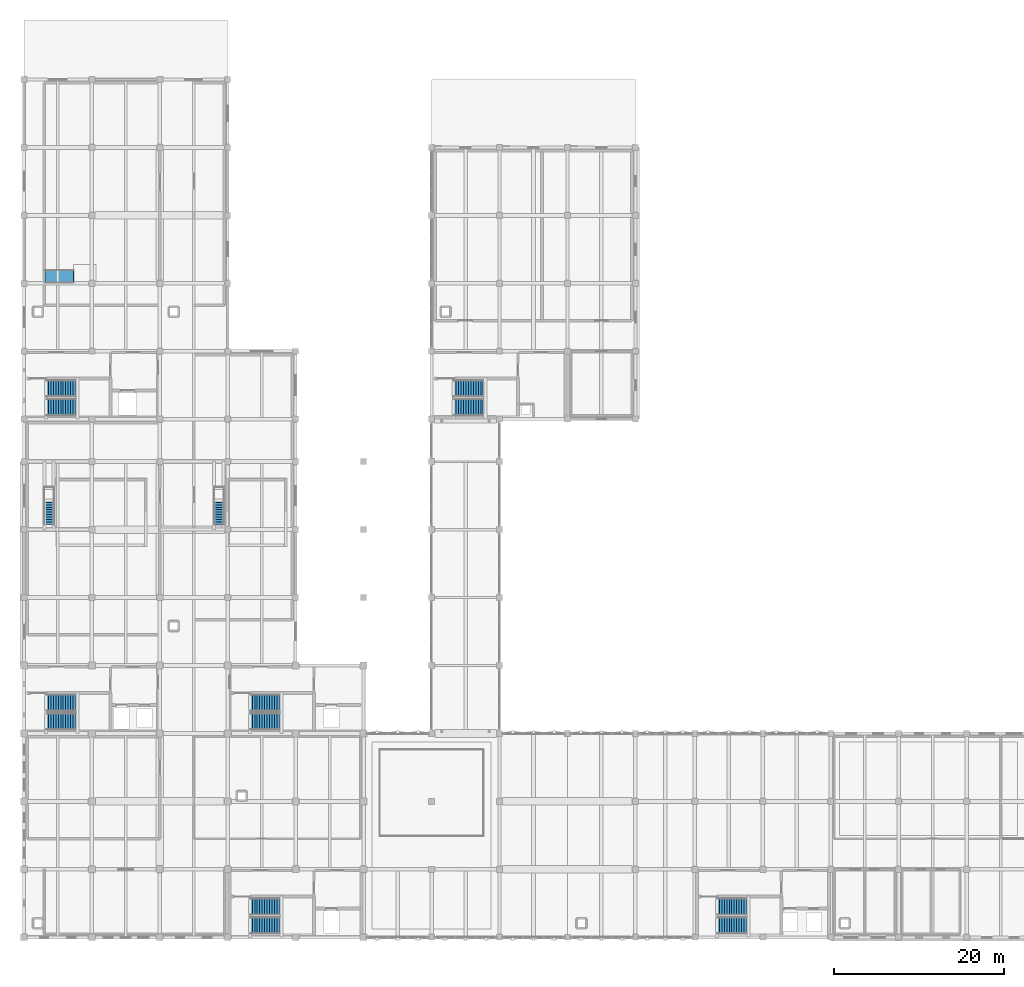
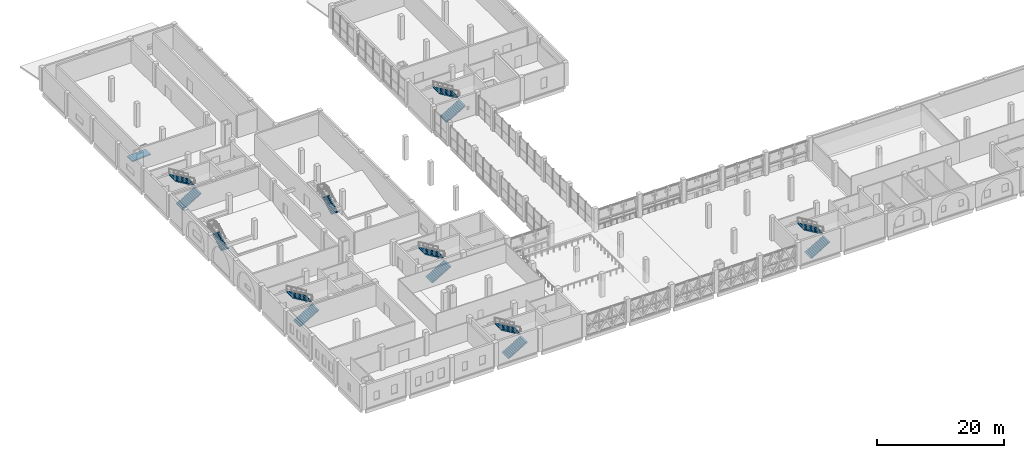
# One storey, part 33 of 45: 14 stair flights, 1 ramp flight, 9 elements without a shape of their own.
"""IFC4 building model written with IfcOpenShell, lengths in metres."""

from ifc_helpers import new_model, si_unit, direction, frame, origin, place, context, subcontext, project, spatial, polyline, outline, extrude, material, layer, layer_set, type_object, element, aggregate, save


model = new_model("IFC4")

# Units and contexts
model_context = context("Model", 3, precision=1e-05, world=origin(), true_north=direction((0.0, 1.0)))
body_context = subcontext(model_context, "Body", "Model", "MODEL_VIEW")
ifc_project = project(units=[si_unit("LENGTHUNIT", "METRE"), si_unit("AREAUNIT", "SQUARE_METRE"), si_unit("VOLUMEUNIT", "CUBIC_METRE"), si_unit("PLANEANGLEUNIT", "RADIAN"), si_unit("MASSUNIT", "GRAM", prefix="KILO")], contexts=[model_context])

# Site, building, storey
site_placement = place(None, origin())
site = spatial("IfcSite", under=ifc_project, at=site_placement, CompositionType="ELEMENT")
building_placement = place(site_placement, origin())
building = spatial("IfcBuilding", under=site, at=building_placement, Name="Qorikala Patio Media Centre", CompositionType="ELEMENT")
storey_placement = place(building_placement, frame((0.0, 0.0, 9.89990234375)))
storey = spatial("IfcBuildingStorey", under=building, at=storey_placement, Name="L02", CompositionType="ELEMENT", Elevation=9.89990234375)

# Stair, stair flights
ifc_material_1 = material(Name="Precast concrete C40/50", Category="concrete")
stair_type_1 = type_object("IfcStairType", Name="ST-DL-26R173W200", PredefinedType="HALF_TURN_STAIR", material=ifc_material_1)
stair_1_placement = place(storey_placement, origin())
stair_1 = element("IfcStair", 1, at=stair_1_placement, inside=storey, type_object=stair_type_1, Name="L02 Core C1 Exit Stair ST-1", PredefinedType="HALF_TURN_STAIR")
stair_flight_type_1 = type_object("IfcStairFlightType", Name="FL-DL-13R173W200", PredefinedType="STRAIGHT", material=ifc_material_1)
stair_flight_1_placement = place(storey_placement, frame((29.60009765625, 4.39990234375, 0.0), z_axis=(0.0, 0.0, 1.0), x_axis=(1.0, 0.0, 0.0)))
stair_flight_1 = element("IfcStairFlight", 2, at=stair_flight_1_placement, type_object=stair_flight_type_1, Name="ST-1 flight 1", NumberOfRisers=13, NumberOfTreads=12, PredefinedType="STRAIGHT", RiserHeight=0.173076923, TreadLength=0.29, context=body_context, shape_type="SweptSolid", body=[
    extrude(outline(polyline([(0.0, 0.0), (0.0, 0.173095703125), (0.2900390625, 0.173095703125), (0.2900390625, 0.34619140625), (0.580078125, 0.34619140625), (0.580078125, 0.519287109375), (0.8701171875, 0.519287109375), (0.8701171875, 0.6923828125), (1.159912109375, 0.6923828125), (1.159912109375, 0.865478515625), (1.449951171875, 0.865478515625), (1.449951171875, 1.03857421875), (1.739990234375, 1.03857421875), (1.739990234375, 1.21142578125), (2.030029296875, 1.21142578125), (2.030029296875, 1.384521484375), (2.320068359375, 1.384521484375), (2.320068359375, 1.5576171875), (2.610107421875, 1.5576171875), (2.610107421875, 1.730712890625), (2.89990234375, 1.730712890625), (2.89990234375, 1.90380859375), (3.18994140625, 1.90380859375), (3.18994140625, 2.076904296875), (3.47998046875, 2.076904296875), (3.47998046875, 2.25), (3.47998046875, 1.90234375), (0.29248046875, 0.0), (0.0, 0.0)])), frame((0.0, 1.0, 0.0), z_axis=(0.0, -1.0, 0.0), x_axis=(1.0, 0.0, 0.0)), (0.0, 0.0, 1.0), 2.0),
])
stair_flight_2_placement = place(storey_placement, frame((33.080078125, 6.60009765625, 2.25), z_axis=(0.0, 0.0, 1.0), x_axis=(-1.0, 0.0, 0.0)))
stair_flight_2 = element("IfcStairFlight", 3, at=stair_flight_2_placement, type_object=stair_flight_type_1, Name="ST-1 flight 2", NumberOfRisers=13, NumberOfTreads=12, PredefinedType="STRAIGHT", RiserHeight=0.173076923, TreadLength=0.29, context=body_context, shape_type="SweptSolid", body=[
    extrude(outline(polyline([(0.0, 0.0), (0.0, 0.173095703125), (0.2900390625, 0.173095703125), (0.2900390625, 0.34619140625), (0.580078125, 0.34619140625), (0.580078125, 0.519287109375), (0.8701171875, 0.519287109375), (0.8701171875, 0.6923828125), (1.159912109375, 0.6923828125), (1.159912109375, 0.865478515625), (1.449951171875, 0.865478515625), (1.449951171875, 1.03857421875), (1.739990234375, 1.03857421875), (1.739990234375, 1.21142578125), (2.030029296875, 1.21142578125), (2.030029296875, 1.384521484375), (2.320068359375, 1.384521484375), (2.320068359375, 1.5576171875), (2.610107421875, 1.5576171875), (2.610107421875, 1.730712890625), (2.89990234375, 1.730712890625), (2.89990234375, 1.90380859375), (3.18994140625, 1.90380859375), (3.18994140625, 2.076904296875), (3.47998046875, 2.076904296875), (3.47998046875, 2.25), (3.47998046875, 1.90234375), (0.29248046875, 0.0), (0.0, 0.0)])), frame((0.0, 1.0, 0.0), z_axis=(0.0, -1.0, 0.0), x_axis=(1.0, 0.0, 0.0)), (0.0, 0.0, 1.0), 2.0),
])
aggregate(stair_1, [stair_flight_1, stair_flight_2])

stair_2_placement = place(storey_placement, origin())
stair_2 = element("IfcStair", 4, at=stair_2_placement, inside=storey, type_object=stair_type_1, Name="L02 Core C2 Exit Stair ST-2", PredefinedType="HALF_TURN_STAIR")
stair_flight_3_placement = place(storey_placement, frame((5.60009765625, 28.39990234375, 0.0), z_axis=(0.0, 0.0, 1.0), x_axis=(1.0, 0.0, 0.0)))
stair_flight_3 = element("IfcStairFlight", 5, at=stair_flight_3_placement, type_object=stair_flight_type_1, Name="ST-2 flight 1", NumberOfRisers=13, NumberOfTreads=12, PredefinedType="STRAIGHT", RiserHeight=0.173076923, TreadLength=0.29, context=body_context, shape_type="SweptSolid", body=[
    extrude(outline(polyline([(0.0, 0.0), (0.0, 0.173095703125), (0.2900390625, 0.173095703125), (0.2900390625, 0.34619140625), (0.580078125, 0.34619140625), (0.580078125, 0.519287109375), (0.8701171875, 0.519287109375), (0.8701171875, 0.6923828125), (1.159912109375, 0.6923828125), (1.159912109375, 0.865478515625), (1.449951171875, 0.865478515625), (1.449951171875, 1.03857421875), (1.739990234375, 1.03857421875), (1.739990234375, 1.21142578125), (2.030029296875, 1.21142578125), (2.030029296875, 1.384521484375), (2.320068359375, 1.384521484375), (2.320068359375, 1.5576171875), (2.610107421875, 1.5576171875), (2.610107421875, 1.730712890625), (2.89990234375, 1.730712890625), (2.89990234375, 1.90380859375), (3.18994140625, 1.90380859375), (3.18994140625, 2.076904296875), (3.47998046875, 2.076904296875), (3.47998046875, 2.25), (3.47998046875, 1.90234375), (0.29248046875, 0.0), (0.0, 0.0)])), frame((0.0, 1.0, 0.0), z_axis=(0.0, -1.0, 0.0), x_axis=(1.0, 0.0, 0.0)), (0.0, 0.0, 1.0), 2.0),
])
stair_flight_4_placement = place(storey_placement, frame((9.080078125, 30.60009765625, 2.25), z_axis=(0.0, 0.0, 1.0), x_axis=(-1.0, 0.0, 0.0)))
stair_flight_4 = element("IfcStairFlight", 6, at=stair_flight_4_placement, type_object=stair_flight_type_1, Name="ST-2 flight 2", NumberOfRisers=13, NumberOfTreads=12, PredefinedType="STRAIGHT", RiserHeight=0.173076923, TreadLength=0.29, context=body_context, shape_type="SweptSolid", body=[
    extrude(outline(polyline([(0.0, 0.0), (0.0, 0.173095703125), (0.2900390625, 0.173095703125), (0.2900390625, 0.34619140625), (0.580078125, 0.34619140625), (0.580078125, 0.519287109375), (0.8701171875, 0.519287109375), (0.8701171875, 0.6923828125), (1.159912109375, 0.6923828125), (1.159912109375, 0.865478515625), (1.449951171875, 0.865478515625), (1.449951171875, 1.03857421875), (1.739990234375, 1.03857421875), (1.739990234375, 1.21142578125), (2.030029296875, 1.21142578125), (2.030029296875, 1.384521484375), (2.320068359375, 1.384521484375), (2.320068359375, 1.5576171875), (2.610107421875, 1.5576171875), (2.610107421875, 1.730712890625), (2.89990234375, 1.730712890625), (2.89990234375, 1.90380859375), (3.18994140625, 1.90380859375), (3.18994140625, 2.076904296875), (3.47998046875, 2.076904296875), (3.47998046875, 2.25), (3.47998046875, 1.90234375), (0.29248046875, 0.0), (0.0, 0.0)])), frame((0.0, 1.0, 0.0), z_axis=(0.0, -1.0, 0.0), x_axis=(1.0, 0.0, 0.0)), (0.0, 0.0, 1.0), 2.0),
])
aggregate(stair_2, [stair_flight_3, stair_flight_4])

stair_3_placement = place(storey_placement, origin())
stair_3 = element("IfcStair", 7, at=stair_3_placement, inside=storey, type_object=stair_type_1, Name="L02 Core C3 Exit Stair ST-3", PredefinedType="HALF_TURN_STAIR")
stair_flight_5_placement = place(storey_placement, frame((5.60009765625, 65.39990234375, 0.0), z_axis=(0.0, 0.0, 1.0), x_axis=(1.0, 0.0, 0.0)))
stair_flight_5 = element("IfcStairFlight", 8, at=stair_flight_5_placement, type_object=stair_flight_type_1, Name="ST-3 flight 1", NumberOfRisers=13, NumberOfTreads=12, PredefinedType="STRAIGHT", RiserHeight=0.173076923, TreadLength=0.29, context=body_context, shape_type="SweptSolid", body=[
    extrude(outline(polyline([(0.0, 0.0), (0.0, 0.173095703125), (0.2900390625, 0.173095703125), (0.2900390625, 0.34619140625), (0.580078125, 0.34619140625), (0.580078125, 0.519287109375), (0.8701171875, 0.519287109375), (0.8701171875, 0.6923828125), (1.159912109375, 0.6923828125), (1.159912109375, 0.865478515625), (1.449951171875, 0.865478515625), (1.449951171875, 1.03857421875), (1.739990234375, 1.03857421875), (1.739990234375, 1.21142578125), (2.030029296875, 1.21142578125), (2.030029296875, 1.384521484375), (2.320068359375, 1.384521484375), (2.320068359375, 1.5576171875), (2.610107421875, 1.5576171875), (2.610107421875, 1.730712890625), (2.89990234375, 1.730712890625), (2.89990234375, 1.90380859375), (3.18994140625, 1.90380859375), (3.18994140625, 2.076904296875), (3.47998046875, 2.076904296875), (3.47998046875, 2.25), (3.47998046875, 1.90234375), (0.29248046875, 0.0), (0.0, 0.0)])), frame((0.0, 1.0, 0.0), z_axis=(0.0, -1.0, 0.0), x_axis=(1.0, 0.0, 0.0)), (0.0, 0.0, 1.0), 2.0),
])
stair_flight_6_placement = place(storey_placement, frame((9.080078125, 67.60009765625, 2.25), z_axis=(0.0, 0.0, 1.0), x_axis=(-1.0, 0.0, 0.0)))
stair_flight_6 = element("IfcStairFlight", 9, at=stair_flight_6_placement, type_object=stair_flight_type_1, Name="ST-3 flight 2", NumberOfRisers=13, NumberOfTreads=12, PredefinedType="STRAIGHT", RiserHeight=0.173076923, TreadLength=0.29, context=body_context, shape_type="SweptSolid", body=[
    extrude(outline(polyline([(0.0, 0.0), (0.0, 0.173095703125), (0.2900390625, 0.173095703125), (0.2900390625, 0.34619140625), (0.580078125, 0.34619140625), (0.580078125, 0.519287109375), (0.8701171875, 0.519287109375), (0.8701171875, 0.6923828125), (1.159912109375, 0.6923828125), (1.159912109375, 0.865478515625), (1.449951171875, 0.865478515625), (1.449951171875, 1.03857421875), (1.739990234375, 1.03857421875), (1.739990234375, 1.21142578125), (2.030029296875, 1.21142578125), (2.030029296875, 1.384521484375), (2.320068359375, 1.384521484375), (2.320068359375, 1.5576171875), (2.610107421875, 1.5576171875), (2.610107421875, 1.730712890625), (2.89990234375, 1.730712890625), (2.89990234375, 1.90380859375), (3.18994140625, 1.90380859375), (3.18994140625, 2.076904296875), (3.47998046875, 2.076904296875), (3.47998046875, 2.25), (3.47998046875, 1.90234375), (0.29248046875, 0.0), (0.0, 0.0)])), frame((0.0, 1.0, 0.0), z_axis=(0.0, -1.0, 0.0), x_axis=(1.0, 0.0, 0.0)), (0.0, 0.0, 1.0), 2.0),
])
aggregate(stair_3, [stair_flight_5, stair_flight_6])

stair_4_placement = place(storey_placement, origin())
stair_4 = element("IfcStair", 10, at=stair_4_placement, inside=storey, type_object=stair_type_1, Name="L02 Core C4 Exit Stair ST-4", PredefinedType="HALF_TURN_STAIR")
stair_flight_7_placement = place(storey_placement, frame((84.60009765625, 4.39990234375, 0.0), z_axis=(0.0, 0.0, 1.0), x_axis=(1.0, 0.0, 0.0)))
stair_flight_7 = element("IfcStairFlight", 11, at=stair_flight_7_placement, type_object=stair_flight_type_1, Name="ST-4 flight 1", NumberOfRisers=13, NumberOfTreads=12, PredefinedType="STRAIGHT", RiserHeight=0.173076923, TreadLength=0.29, context=body_context, shape_type="SweptSolid", body=[
    extrude(outline(polyline([(0.0, 0.0), (0.0, 0.173095703125), (0.2900390625, 0.173095703125), (0.2900390625, 0.34619140625), (0.580078125, 0.34619140625), (0.580078125, 0.519287109375), (0.8701171875, 0.519287109375), (0.8701171875, 0.6923828125), (1.159912109375, 0.6923828125), (1.159912109375, 0.865478515625), (1.449951171875, 0.865478515625), (1.449951171875, 1.03857421875), (1.739990234375, 1.03857421875), (1.739990234375, 1.21142578125), (2.030029296875, 1.21142578125), (2.030029296875, 1.384521484375), (2.320068359375, 1.384521484375), (2.320068359375, 1.5576171875), (2.610107421875, 1.5576171875), (2.610107421875, 1.730712890625), (2.89990234375, 1.730712890625), (2.89990234375, 1.90380859375), (3.18994140625, 1.90380859375), (3.18994140625, 2.076904296875), (3.47998046875, 2.076904296875), (3.47998046875, 2.25), (3.47998046875, 1.90234375), (0.29248046875, 0.0), (0.0, 0.0)])), frame((0.0, 1.0, 0.0), z_axis=(0.0, -1.0, 0.0), x_axis=(1.0, 0.0, 0.0)), (0.0, 0.0, 1.0), 2.0),
])
stair_flight_8_placement = place(storey_placement, frame((88.080078125, 6.60009765625, 2.25), z_axis=(0.0, 0.0, 1.0), x_axis=(-1.0, 0.0, 0.0)))
stair_flight_8 = element("IfcStairFlight", 12, at=stair_flight_8_placement, type_object=stair_flight_type_1, Name="ST-4 flight 2", NumberOfRisers=13, NumberOfTreads=12, PredefinedType="STRAIGHT", RiserHeight=0.173076923, TreadLength=0.29, context=body_context, shape_type="SweptSolid", body=[
    extrude(outline(polyline([(0.0, 0.0), (0.0, 0.173095703125), (0.2900390625, 0.173095703125), (0.2900390625, 0.34619140625), (0.580078125, 0.34619140625), (0.580078125, 0.519287109375), (0.8701171875, 0.519287109375), (0.8701171875, 0.6923828125), (1.159912109375, 0.6923828125), (1.159912109375, 0.865478515625), (1.449951171875, 0.865478515625), (1.449951171875, 1.03857421875), (1.739990234375, 1.03857421875), (1.739990234375, 1.21142578125), (2.030029296875, 1.21142578125), (2.030029296875, 1.384521484375), (2.320068359375, 1.384521484375), (2.320068359375, 1.5576171875), (2.610107421875, 1.5576171875), (2.610107421875, 1.730712890625), (2.89990234375, 1.730712890625), (2.89990234375, 1.90380859375), (3.18994140625, 1.90380859375), (3.18994140625, 2.076904296875), (3.47998046875, 2.076904296875), (3.47998046875, 2.25), (3.47998046875, 1.90234375), (0.29248046875, 0.0), (0.0, 0.0)])), frame((0.0, 1.0, 0.0), z_axis=(0.0, -1.0, 0.0), x_axis=(1.0, 0.0, 0.0)), (0.0, 0.0, 1.0), 2.0),
])
aggregate(stair_4, [stair_flight_7, stair_flight_8])

stair_5_placement = place(storey_placement, origin())
stair_5 = element("IfcStair", 13, at=stair_5_placement, inside=storey, type_object=stair_type_1, Name="L02 Core C5 Exit Stair ST-5", PredefinedType="HALF_TURN_STAIR")
stair_flight_9_placement = place(storey_placement, frame((29.60009765625, 28.39990234375, 0.0), z_axis=(0.0, 0.0, 1.0), x_axis=(1.0, 0.0, 0.0)))
stair_flight_9 = element("IfcStairFlight", 14, at=stair_flight_9_placement, type_object=stair_flight_type_1, Name="ST-5 flight 1", NumberOfRisers=13, NumberOfTreads=12, PredefinedType="STRAIGHT", RiserHeight=0.173076923, TreadLength=0.29, context=body_context, shape_type="SweptSolid", body=[
    extrude(outline(polyline([(0.0, 0.0), (0.0, 0.173095703125), (0.2900390625, 0.173095703125), (0.2900390625, 0.34619140625), (0.580078125, 0.34619140625), (0.580078125, 0.519287109375), (0.8701171875, 0.519287109375), (0.8701171875, 0.6923828125), (1.159912109375, 0.6923828125), (1.159912109375, 0.865478515625), (1.449951171875, 0.865478515625), (1.449951171875, 1.03857421875), (1.739990234375, 1.03857421875), (1.739990234375, 1.21142578125), (2.030029296875, 1.21142578125), (2.030029296875, 1.384521484375), (2.320068359375, 1.384521484375), (2.320068359375, 1.5576171875), (2.610107421875, 1.5576171875), (2.610107421875, 1.730712890625), (2.89990234375, 1.730712890625), (2.89990234375, 1.90380859375), (3.18994140625, 1.90380859375), (3.18994140625, 2.076904296875), (3.47998046875, 2.076904296875), (3.47998046875, 2.25), (3.47998046875, 1.90234375), (0.29248046875, 0.0), (0.0, 0.0)])), frame((0.0, 1.0, 0.0), z_axis=(0.0, -1.0, 0.0), x_axis=(1.0, 0.0, 0.0)), (0.0, 0.0, 1.0), 2.0),
])
stair_flight_10_placement = place(storey_placement, frame((33.080078125, 30.60009765625, 2.25), z_axis=(0.0, 0.0, 1.0), x_axis=(-1.0, 0.0, 0.0)))
stair_flight_10 = element("IfcStairFlight", 15, at=stair_flight_10_placement, type_object=stair_flight_type_1, Name="ST-5 flight 2", NumberOfRisers=13, NumberOfTreads=12, PredefinedType="STRAIGHT", RiserHeight=0.173076923, TreadLength=0.29, context=body_context, shape_type="SweptSolid", body=[
    extrude(outline(polyline([(0.0, 0.0), (0.0, 0.173095703125), (0.2900390625, 0.173095703125), (0.2900390625, 0.34619140625), (0.580078125, 0.34619140625), (0.580078125, 0.519287109375), (0.8701171875, 0.519287109375), (0.8701171875, 0.6923828125), (1.159912109375, 0.6923828125), (1.159912109375, 0.865478515625), (1.449951171875, 0.865478515625), (1.449951171875, 1.03857421875), (1.739990234375, 1.03857421875), (1.739990234375, 1.21142578125), (2.030029296875, 1.21142578125), (2.030029296875, 1.384521484375), (2.320068359375, 1.384521484375), (2.320068359375, 1.5576171875), (2.610107421875, 1.5576171875), (2.610107421875, 1.730712890625), (2.89990234375, 1.730712890625), (2.89990234375, 1.90380859375), (3.18994140625, 1.90380859375), (3.18994140625, 2.076904296875), (3.47998046875, 2.076904296875), (3.47998046875, 2.25), (3.47998046875, 1.90234375), (0.29248046875, 0.0), (0.0, 0.0)])), frame((0.0, 1.0, 0.0), z_axis=(0.0, -1.0, 0.0), x_axis=(1.0, 0.0, 0.0)), (0.0, 0.0, 1.0), 2.0),
])
aggregate(stair_5, [stair_flight_9, stair_flight_10])

stair_6_placement = place(storey_placement, origin())
stair_6 = element("IfcStair", 16, at=stair_6_placement, inside=storey, type_object=stair_type_1, Name="L02 Core C6 Exit Stair ST-6", PredefinedType="HALF_TURN_STAIR")
stair_flight_11_placement = place(storey_placement, frame((53.60009765625, 65.39990234375, 0.0), z_axis=(0.0, 0.0, 1.0), x_axis=(1.0, 0.0, 0.0)))
stair_flight_11 = element("IfcStairFlight", 17, at=stair_flight_11_placement, type_object=stair_flight_type_1, Name="ST-6 flight 1", NumberOfRisers=13, NumberOfTreads=12, PredefinedType="STRAIGHT", RiserHeight=0.173076923, TreadLength=0.29, context=body_context, shape_type="SweptSolid", body=[
    extrude(outline(polyline([(0.0, 0.0), (0.0, 0.173095703125), (0.2900390625, 0.173095703125), (0.2900390625, 0.34619140625), (0.580078125, 0.34619140625), (0.580078125, 0.519287109375), (0.8701171875, 0.519287109375), (0.8701171875, 0.6923828125), (1.159912109375, 0.6923828125), (1.159912109375, 0.865478515625), (1.449951171875, 0.865478515625), (1.449951171875, 1.03857421875), (1.739990234375, 1.03857421875), (1.739990234375, 1.21142578125), (2.030029296875, 1.21142578125), (2.030029296875, 1.384521484375), (2.320068359375, 1.384521484375), (2.320068359375, 1.5576171875), (2.610107421875, 1.5576171875), (2.610107421875, 1.730712890625), (2.89990234375, 1.730712890625), (2.89990234375, 1.90380859375), (3.18994140625, 1.90380859375), (3.18994140625, 2.076904296875), (3.47998046875, 2.076904296875), (3.47998046875, 2.25), (3.47998046875, 1.90234375), (0.29248046875, 0.0), (0.0, 0.0)])), frame((0.0, 1.0, 0.0), z_axis=(0.0, -1.0, 0.0), x_axis=(1.0, 0.0, 0.0)), (0.0, 0.0, 1.0), 2.0),
])
stair_flight_12_placement = place(storey_placement, frame((57.080078125, 67.60009765625, 2.25), z_axis=(0.0, 0.0, 1.0), x_axis=(-1.0, 0.0, 0.0)))
stair_flight_12 = element("IfcStairFlight", 18, at=stair_flight_12_placement, type_object=stair_flight_type_1, Name="ST-6 flight 2", NumberOfRisers=13, NumberOfTreads=12, PredefinedType="STRAIGHT", RiserHeight=0.173076923, TreadLength=0.29, context=body_context, shape_type="SweptSolid", body=[
    extrude(outline(polyline([(0.0, 0.0), (0.0, 0.173095703125), (0.2900390625, 0.173095703125), (0.2900390625, 0.34619140625), (0.580078125, 0.34619140625), (0.580078125, 0.519287109375), (0.8701171875, 0.519287109375), (0.8701171875, 0.6923828125), (1.159912109375, 0.6923828125), (1.159912109375, 0.865478515625), (1.449951171875, 0.865478515625), (1.449951171875, 1.03857421875), (1.739990234375, 1.03857421875), (1.739990234375, 1.21142578125), (2.030029296875, 1.21142578125), (2.030029296875, 1.384521484375), (2.320068359375, 1.384521484375), (2.320068359375, 1.5576171875), (2.610107421875, 1.5576171875), (2.610107421875, 1.730712890625), (2.89990234375, 1.730712890625), (2.89990234375, 1.90380859375), (3.18994140625, 1.90380859375), (3.18994140625, 2.076904296875), (3.47998046875, 2.076904296875), (3.47998046875, 2.25), (3.47998046875, 1.90234375), (0.29248046875, 0.0), (0.0, 0.0)])), frame((0.0, 1.0, 0.0), z_axis=(0.0, -1.0, 0.0), x_axis=(1.0, 0.0, 0.0)), (0.0, 0.0, 1.0), 2.0),
])
aggregate(stair_6, [stair_flight_11, stair_flight_12])

# Stair, stair flight
ifc_material_2 = material(Name="Concrete C35/45", Category="concrete")
stair_type_2 = type_object("IfcStairType", Name="ST-VOM-STR", PredefinedType="STRAIGHT_RUN_STAIR", material=ifc_material_2)
stair_7_placement = place(storey_placement, origin())
stair_7 = element("IfcStair", 19, at=stair_7_placement, inside=storey, type_object=stair_type_2, Name="Vomitory Stair VS-03", PredefinedType="STRAIGHT_RUN_STAIR")
stair_flight_type_2 = type_object("IfcStairFlightType", Name="FL-VOM-STR", PredefinedType="STRAIGHT", material=ifc_material_2)
stair_flight_13_placement = place(storey_placement, frame((5.949951171875, 51.60009765625, 0.0), z_axis=(0.0, 0.0, 1.0), x_axis=(0.0, 1.0, 0.0)))
stair_flight_13 = element("IfcStairFlight", 20, at=stair_flight_13_placement, type_object=stair_flight_type_2, Name="VS-03 flight 1", NumberOfRisers=11, NumberOfTreads=10, PredefinedType="STRAIGHT", RiserHeight=0.16364, TreadLength=0.29, context=body_context, shape_type="SweptSolid", body=[
    extrude(outline(polyline([(0.0, 0.0), (0.0, 0.16357421875), (0.2900390625, 0.16357421875), (0.2900390625, 0.327392578125), (0.580078125, 0.327392578125), (0.580078125, 0.490966796875), (0.8701171875, 0.490966796875), (0.8701171875, 0.654541015625), (1.159912109375, 0.654541015625), (1.159912109375, 0.818115234375), (1.449951171875, 0.818115234375), (1.449951171875, 0.98193359375), (1.739990234375, 0.98193359375), (1.739990234375, 1.1455078125), (2.030029296875, 1.1455078125), (2.030029296875, 1.30908203125), (2.320068359375, 1.30908203125), (2.320068359375, 1.47265625), (2.610107421875, 1.47265625), (2.610107421875, 1.636474609375), (2.89990234375, 1.636474609375), (2.89990234375, 1.800048828125), (2.89990234375, 1.4296875), (0.3662109375, 0.0), (0.0, 0.0)])), frame((0.0, 0.625, 0.0), z_axis=(0.0, -1.0, 0.0), x_axis=(1.0, 0.0, 0.0)), (0.0, 0.0, 1.0), 1.25),
])
aggregate(stair_7, [stair_flight_13])

stair_8_placement = place(storey_placement, origin())
stair_8 = element("IfcStair", 21, at=stair_8_placement, inside=storey, type_object=stair_type_2, Name="Vomitory Stair VS-04", PredefinedType="STRAIGHT_RUN_STAIR")
stair_flight_14_placement = place(storey_placement, frame((25.949951171875, 51.60009765625, 0.0), z_axis=(0.0, 0.0, 1.0), x_axis=(0.0, 1.0, 0.0)))
stair_flight_14 = element("IfcStairFlight", 22, at=stair_flight_14_placement, type_object=stair_flight_type_2, Name="VS-04 flight 1", NumberOfRisers=11, NumberOfTreads=10, PredefinedType="STRAIGHT", RiserHeight=0.16364, TreadLength=0.29, context=body_context, shape_type="SweptSolid", body=[
    extrude(outline(polyline([(0.0, 0.0), (0.0, 0.16357421875), (0.2900390625, 0.16357421875), (0.2900390625, 0.327392578125), (0.580078125, 0.327392578125), (0.580078125, 0.490966796875), (0.8701171875, 0.490966796875), (0.8701171875, 0.654541015625), (1.159912109375, 0.654541015625), (1.159912109375, 0.818115234375), (1.449951171875, 0.818115234375), (1.449951171875, 0.98193359375), (1.739990234375, 0.98193359375), (1.739990234375, 1.1455078125), (2.030029296875, 1.1455078125), (2.030029296875, 1.30908203125), (2.320068359375, 1.30908203125), (2.320068359375, 1.47265625), (2.610107421875, 1.47265625), (2.610107421875, 1.636474609375), (2.89990234375, 1.636474609375), (2.89990234375, 1.800048828125), (2.89990234375, 1.4296875), (0.3662109375, 0.0), (0.0, 0.0)])), frame((0.0, 0.625, 0.0), z_axis=(0.0, -1.0, 0.0), x_axis=(1.0, 0.0, 0.0)), (0.0, 0.0, 1.0), 1.25),
])
aggregate(stair_8, [stair_flight_14])

# Ramp, ramp flight
ifc_material_3 = material(Name="Comanche Granite and Concrete C35/45", Category="masonry")
ramp_type = type_object("IfcRampType", Name="RMP-PED", PredefinedType="STRAIGHT_RUN_RAMP", material=ifc_material_3)
ramp_placement = place(storey_placement, origin())
ramp = element("IfcRamp", 23, at=ramp_placement, inside=storey, type_object=ramp_type, Name="L02 Accessible Pedestrian Ramp RP-03", PredefinedType="STRAIGHT_RUN_RAMP")
ifc_layer = layer(ifc_material_3, 0.219970703125)
ifc_layer_set = layer_set([ifc_layer], Name="Comanche Granite and Concrete C35/45")
ramp_flight_type = type_object("IfcRampFlightType", Name="RMF-PED", PredefinedType="STRAIGHT", material=ifc_layer_set)
ramp_flight_placement = place(storey_placement, frame((5.5, 80.0, 0.0), z_axis=(-0.071241899553, 0.0, 0.997459067706), x_axis=(0.997459067706, 0.0, 0.071241899553)))
ramp_flight = element("IfcRampFlight", 24, at=ramp_flight_placement, type_object=ramp_flight_type, Name="L02 Accessible Ramp Flight RP-03", PredefinedType="STRAIGHT", context=body_context, shape_type="SweptSolid", body=[
    extrude(outline(polyline([(0.0, 0.0), (3.3686669765850747, 0.0), (3.3686669765850747, 1.60009765625), (0.0, 1.60009765625), (0.0, 0.0)])), origin(), (0.0, 0.0, -1.0), 0.219970703125),
])
aggregate(ramp, [ramp_flight])

save(model, "model.ifc")
